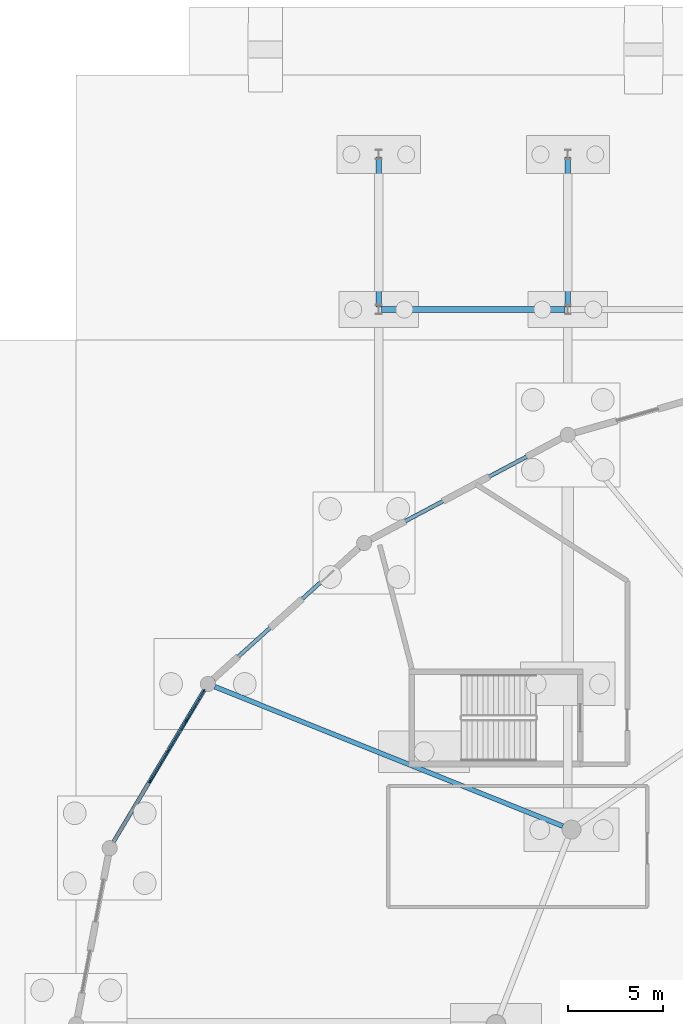
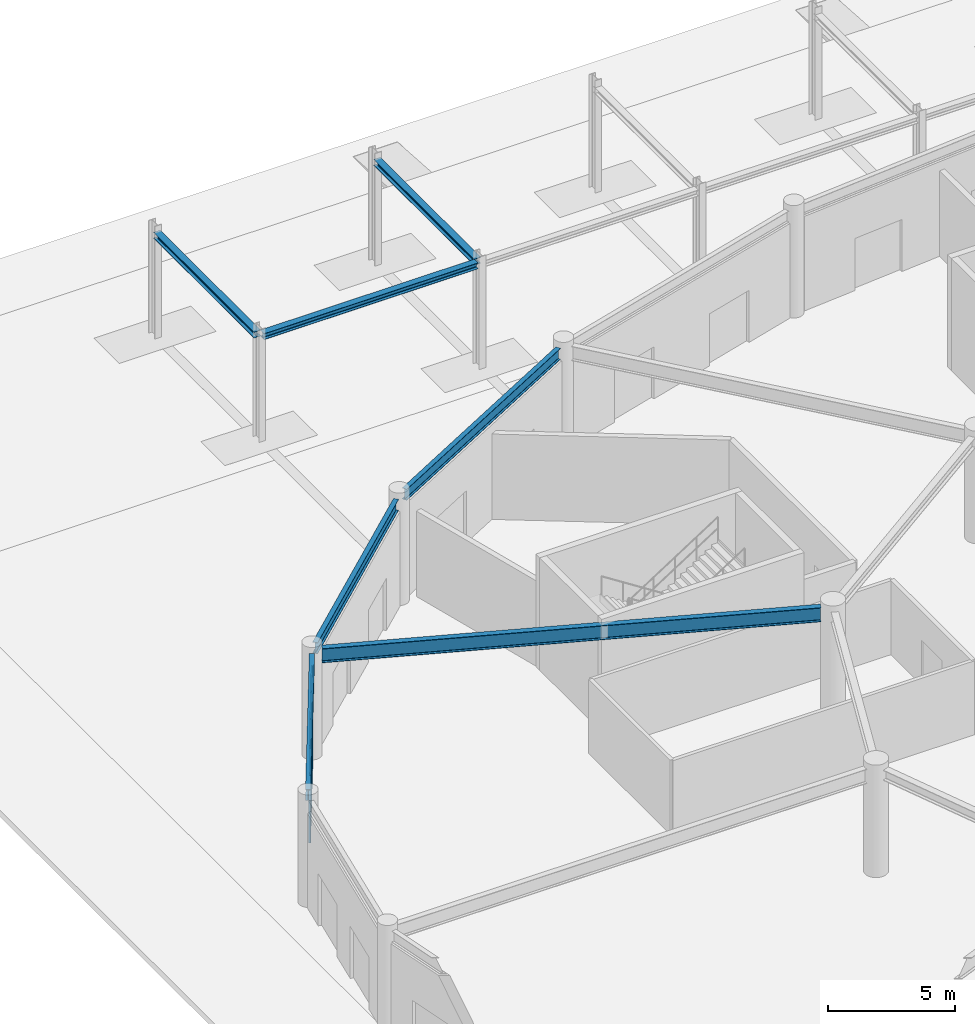
# One storey, part 41 of 99: 16 members, 7 beams, 1 element without a shape of its own.
"""IFC4 building model written with IfcOpenShell, lengths in metres."""

from ifc_helpers import new_model, si_unit, direction, frame, origin, origin_2d, place, context, subcontext, project, spatial, rectangle, i_section, extrude, material, layer, layer_set, material_profile, profile_set, type_object, element, aggregate, save


model = new_model("IFC4")

# Units and contexts
model_context = context("Model", 3, precision=1e-05, world=origin(), true_north=direction((0.0, 1.0)))
body_context = subcontext(model_context, "Body", "Model", "MODEL_VIEW")
ifc_project = project(units=[si_unit("LENGTHUNIT", "METRE"), si_unit("AREAUNIT", "SQUARE_METRE"), si_unit("VOLUMEUNIT", "CUBIC_METRE"), si_unit("PLANEANGLEUNIT", "RADIAN"), si_unit("MASSUNIT", "GRAM", prefix="KILO")], contexts=[model_context])

# Site, building, storey
site_placement = place(None, origin())
site = spatial("IfcSite", under=ifc_project, at=site_placement, CompositionType="ELEMENT")
building_placement = place(site_placement, origin())
building = spatial("IfcBuilding", under=site, at=building_placement, Name="Kivolera Central Railway Station", CompositionType="ELEMENT")
storey_placement = place(building_placement, origin())
storey = spatial("IfcBuildingStorey", under=building, at=storey_placement, Name="L00", CompositionType="ELEMENT", Elevation=0.0)

# Beams
ifc_material_1 = material(Name="Steel S355", Category="steel")
ifc_material_profile_1 = material_profile(ifc_material_1, i_section(OverallWidth=0.300048828125, OverallDepth=0.2900390625, WebThickness=0.008544921875, FlangeThickness=0.013916015625, FilletRadius=0.027099609375, at=origin_2d()), Name="HEA 300")
ifc_profile_set_1 = profile_set([ifc_material_profile_1], Name="Steel S355")
beam_type_1 = type_object("IfcBeamType", Name="BM-CAN-TIE", PredefinedType="BEAM", material=ifc_profile_set_1)
for number, where, z_axis, x_axis, name in (
    (1, (28.0, 127.93994140625, 4.919921875), (0.0, 1.0, 0.0), (-1.0, 0.0, 0.0), "Forecourt Canopy Tie Beam 1"),
    (2, (38.0, 127.93994140625, 4.919921875), (0.0, 1.0, 0.0), (-1.0, 0.0, 0.0), "Forecourt Canopy Tie Beam 2"),
):
    element("IfcBeam", number, at=place(storey_placement, frame(where, z_axis=z_axis, x_axis=x_axis)), inside=storey, type_object=beam_type_1, Name=name, PredefinedType="BEAM", context=body_context, shape_type="SweptSolid", body=[
        extrude(i_section(OverallWidth=0.300048828125, OverallDepth=0.2900390625, WebThickness=0.008544921875, FlangeThickness=0.013916015625, FilletRadius=0.027099609375, at=origin_2d()), origin(), (0.0, 0.0, 1.0), 7.920166015625),
    ])
beam_1_placement = place(storey_placement, frame((28.139892578125, 127.800048828125, 4.919921875), z_axis=(1.0, 0.0, 0.0), x_axis=(0.0, 1.0, 0.0)))
element("IfcBeam", 3, at=beam_1_placement, inside=storey, type_object=beam_type_1, Name="Forecourt Canopy South Longitudinal Beam 28", PredefinedType="BEAM", context=body_context, shape_type="SweptSolid", body=[
    extrude(i_section(OverallWidth=0.300048828125, OverallDepth=0.2900390625, WebThickness=0.008544921875, FlangeThickness=0.013916015625, FilletRadius=0.027099609375, at=origin_2d()), origin(), (0.0, 0.0, 1.0), 9.72021484375),
])
ifc_material_profile_2 = material_profile(ifc_material_1, i_section(OverallWidth=0.209228515625, OverallDepth=0.533203125, WebThickness=0.010009765625, FlangeThickness=0.015625, FilletRadius=0.0126953125, at=origin_2d()), Name="UB 533x210x92")
ifc_profile_set_2 = profile_set([ifc_material_profile_2], Name="Steel S355")
beam_type_2 = type_object("IfcBeamType", Name="BM-SHD-UB533", PredefinedType="BEAM", material=ifc_profile_set_2)
beam_2_placement = place(storey_placement, frame((37.656005859375, 120.993896484375, 4.841064453125), z_axis=(-0.883155588993, -0.469080169725, 0.0), x_axis=(0.469080169725, -0.883155588993, 0.0)))
element("IfcBeam", 4, at=beam_2_placement, inside=storey, type_object=beam_type_2, Name="L00 Oval Perimeter Ring Beam 09", PredefinedType="BEAM", context=body_context, shape_type="SweptSolid", body=[
    extrude(i_section(OverallWidth=0.209228515625, OverallDepth=0.533203125, WebThickness=0.010009765625, FlangeThickness=0.015625, FilletRadius=0.0126953125, at=origin_2d()), origin(), (0.0, 0.0, 1.0), 11.416015625),
])
beam_3_placement = place(storey_placement, frame((26.93994140625, 115.195068359375, 4.841064453125), z_axis=(-0.742356199881, -0.670005427215, 0.0), x_axis=(0.670005427215, -0.742356199881, 0.0)))
element("IfcBeam", 5, at=beam_3_placement, inside=storey, type_object=beam_type_2, Name="L00 Oval Perimeter Ring Beam 10", PredefinedType="BEAM", context=body_context, shape_type="SweptSolid", body=[
    extrude(i_section(OverallWidth=0.209228515625, OverallDepth=0.533203125, WebThickness=0.010009765625, FlangeThickness=0.015625, FilletRadius=0.0126953125, at=origin_2d()), origin(), (0.0, 0.0, 1.0), 10.349365234375),
])
beam_4_placement = place(storey_placement, frame((18.76708984375, 107.6650390625, 4.841064453125), z_axis=(-0.513503459376, -0.858087523047, 0.0), x_axis=(0.858087523047, -0.513503459376, 0.0)))
element("IfcBeam", 6, at=beam_4_placement, inside=storey, type_object=beam_type_2, Name="L00 Oval Perimeter Ring Beam 11", PredefinedType="BEAM", context=body_context, shape_type="SweptSolid", body=[
    extrude(i_section(OverallWidth=0.209228515625, OverallDepth=0.533203125, WebThickness=0.010009765625, FlangeThickness=0.015625, FilletRadius=0.0126953125, at=origin_2d()), origin(), (0.0, 0.0, 1.0), 9.338134765625),
])
ifc_material_profile_3 = material_profile(ifc_material_1, i_section(OverallWidth=0.253662109375, OverallDepth=0.68359375, WebThickness=0.012451171875, FlangeThickness=0.01904296875, FilletRadius=0.01513671875, at=origin_2d()), Name="UB 686x254x140")
ifc_profile_set_3 = profile_set([ifc_material_profile_3], Name="Steel S355")
beam_type_3 = type_object("IfcBeamType", Name="BM-SHD-UB686", PredefinedType="BEAM", material=ifc_profile_set_3)
beam_5_placement = place(storey_placement, frame((37.737060546875, 100.48193359375, 4.76611328125), z_axis=(-0.928305074345, 0.371819430565, 0.0), x_axis=(-0.371819430565, -0.928305074345, 0.0)))
element("IfcBeam", 7, at=beam_5_placement, inside=storey, type_object=beam_type_3, Name="L00 Oval Gallery Radial Girder 06", PredefinedType="BEAM", context=body_context, shape_type="SweptSolid", body=[
    extrude(i_section(OverallWidth=0.253662109375, OverallDepth=0.68359375, WebThickness=0.012451171875, FlangeThickness=0.01904296875, FilletRadius=0.01513671875, at=origin_2d()), origin(), (0.0, 0.0, 1.0), 19.82958984375),
])

# Curtain wall, members
ifc_material_2 = material(Name="Anodised aluminium", Category="aluminium")
ifc_layer = layer(ifc_material_2, 0.179931640625, Name="Anodised aluminium")
ifc_layer_set = layer_set([ifc_layer], Name="Anodised aluminium")
curtain_wall_type = type_object("IfcCurtainWallType", Name="CW-SYS-01", PredefinedType="NOTDEFINED", material=ifc_layer_set)
curtain_wall_placement = place(storey_placement, origin())
curtain_wall = element("IfcCurtainWall", 8, at=curtain_wall_placement, inside=storey, type_object=curtain_wall_type, Name="L00 Curtain Wall CW-L00-OVL-10", PredefinedType="NOTDEFINED")
ifc_material_profile_4 = material_profile(ifc_material_2, rectangle(XDim=0.070068359375, YDim=0.179931640625, at=origin_2d()), Name="ALU MULL 70x180")
ifc_profile_set_4 = profile_set([ifc_material_profile_4], Name="Anodised aluminium")
member_type_1 = type_object("IfcMemberType", Name="CWM-MUL-1", PredefinedType="MULLION", material=ifc_profile_set_4)
member_1_placement = place(storey_placement, frame((15.89111328125, 102.85888671875, -0.0048828125), z_axis=(0.0, 0.0, 1.0), x_axis=(-0.858117186396, 0.513453887327, 0.0)))
member_1 = element("IfcMember", 9, at=member_1_placement, type_object=member_type_1, Name="CW-01 mullion 3", PredefinedType="MULLION", context=body_context, shape_type="SweptSolid", body=[
    extrude(rectangle(XDim=0.070068359375, YDim=0.179931640625, at=origin_2d()), origin(), (0.0, 0.0, 1.0), 4.554931640625),
])
member_2_placement = place(storey_placement, frame((16.847900390625, 104.458251953125, -0.0048828125), z_axis=(0.0, 0.0, 1.0), x_axis=(-0.858117186396, 0.513453887327, 0.0)))
member_2 = element("IfcMember", 10, at=member_2_placement, type_object=member_type_1, Name="CW-01 mullion 4", PredefinedType="MULLION", context=body_context, shape_type="SweptSolid", body=[
    extrude(rectangle(XDim=0.070068359375, YDim=0.179931640625, at=origin_2d()), origin(), (0.0, 0.0, 1.0), 4.554931640625),
])
member_3_placement = place(storey_placement, frame((17.804931640625, 106.0576171875, -0.0048828125), z_axis=(0.0, 0.0, 1.0), x_axis=(-0.858117186396, 0.513453887327, 0.0)))
member_3 = element("IfcMember", 11, at=member_3_placement, type_object=member_type_1, Name="CW-01 mullion 5", PredefinedType="MULLION", context=body_context, shape_type="SweptSolid", body=[
    extrude(rectangle(XDim=0.070068359375, YDim=0.179931640625, at=origin_2d()), origin(), (0.0, 0.0, 1.0), 4.554931640625),
])
member_4_placement = place(storey_placement, frame((18.744140625, 107.626953125, -0.0048828125), z_axis=(0.0, 0.0, 1.0), x_axis=(-0.858117186396, 0.513453887327, 0.0)))
member_4 = element("IfcMember", 12, at=member_4_placement, type_object=member_type_1, Name="CW-01 mullion 6", PredefinedType="MULLION", context=body_context, shape_type="SweptSolid", body=[
    extrude(rectangle(XDim=0.070068359375, YDim=0.179931640625, at=origin_2d()), origin(), (0.0, 0.0, 1.0), 4.554931640625),
])
ifc_material_profile_5 = material_profile(ifc_material_2, rectangle(XDim=0.070068359375, YDim=0.139892578125, at=origin_2d()), Name="ALU TRAN 70x140")
ifc_profile_set_5 = profile_set([ifc_material_profile_5], Name="Anodised aluminium")
member_type_2 = type_object("IfcMemberType", Name="CWM-TRN-1", PredefinedType="USERDEFINED", material=ifc_profile_set_5)
member_5_placement = place(storey_placement, frame((15.908935546875, 102.888916015625, 0.034912109375), z_axis=(0.513494690452, 0.858092770554, 0.0), x_axis=(-0.858092770554, 0.513494690452, 0.0)))
member_5 = element("IfcMember", 13, at=member_5_placement, type_object=member_type_2, Name="CW-01 transom 3.1", ObjectType="TRANSOM", PredefinedType="USERDEFINED", context=body_context, shape_type="SweptSolid", body=[
    extrude(rectangle(XDim=0.070068359375, YDim=0.139892578125, at=origin_2d()), origin(), (0.0, 0.0, 1.0), 1.7939453125),
])
member_6_placement = place(storey_placement, frame((15.908935546875, 102.888916015625, 1.592529296875), z_axis=(0.513494690452, 0.858092770554, 0.0), x_axis=(-0.858092770554, 0.513494690452, 0.0)))
member_6 = element("IfcMember", 14, at=member_6_placement, type_object=member_type_2, Name="CW-01 transom 3.2", ObjectType="TRANSOM", PredefinedType="USERDEFINED", context=body_context, shape_type="SweptSolid", body=[
    extrude(rectangle(XDim=0.070068359375, YDim=0.139892578125, at=origin_2d()), origin(), (0.0, 0.0, 1.0), 1.7939453125),
])
member_7_placement = place(storey_placement, frame((15.908935546875, 102.888916015625, 3.18505859375), z_axis=(0.513494690452, 0.858092770554, 0.0), x_axis=(-0.858092770554, 0.513494690452, 0.0)))
member_7 = element("IfcMember", 15, at=member_7_placement, type_object=member_type_2, Name="CW-01 transom 3.3", ObjectType="TRANSOM", PredefinedType="USERDEFINED", context=body_context, shape_type="SweptSolid", body=[
    extrude(rectangle(XDim=0.070068359375, YDim=0.139892578125, at=origin_2d()), origin(), (0.0, 0.0, 1.0), 1.7939453125),
])
member_8_placement = place(storey_placement, frame((15.908935546875, 102.888916015625, 4.514892578125), z_axis=(0.513494690452, 0.858092770554, 0.0), x_axis=(-0.858092770554, 0.513494690452, 0.0)))
member_8 = element("IfcMember", 16, at=member_8_placement, type_object=member_type_2, Name="CW-01 transom 3.4", ObjectType="TRANSOM", PredefinedType="USERDEFINED", context=body_context, shape_type="SweptSolid", body=[
    extrude(rectangle(XDim=0.070068359375, YDim=0.139892578125, at=origin_2d()), origin(), (0.0, 0.0, 1.0), 1.7939453125),
])
member_9_placement = place(storey_placement, frame((16.865966796875, 104.48828125, 0.034912109375), z_axis=(0.513494690452, 0.858092770554, 0.0), x_axis=(-0.858092770554, 0.513494690452, 0.0)))
member_9 = element("IfcMember", 17, at=member_9_placement, type_object=member_type_2, Name="CW-01 transom 4.1", ObjectType="TRANSOM", PredefinedType="USERDEFINED", context=body_context, shape_type="SweptSolid", body=[
    extrude(rectangle(XDim=0.070068359375, YDim=0.139892578125, at=origin_2d()), origin(), (0.0, 0.0, 1.0), 1.7939453125),
])
member_10_placement = place(storey_placement, frame((16.865966796875, 104.48828125, 1.592529296875), z_axis=(0.513494690452, 0.858092770554, 0.0), x_axis=(-0.858092770554, 0.513494690452, 0.0)))
member_10 = element("IfcMember", 18, at=member_10_placement, type_object=member_type_2, Name="CW-01 transom 4.2", ObjectType="TRANSOM", PredefinedType="USERDEFINED", context=body_context, shape_type="SweptSolid", body=[
    extrude(rectangle(XDim=0.070068359375, YDim=0.139892578125, at=origin_2d()), origin(), (0.0, 0.0, 1.0), 1.7939453125),
])
member_11_placement = place(storey_placement, frame((16.865966796875, 104.48828125, 3.18505859375), z_axis=(0.513494690452, 0.858092770554, 0.0), x_axis=(-0.858092770554, 0.513494690452, 0.0)))
member_11 = element("IfcMember", 19, at=member_11_placement, type_object=member_type_2, Name="CW-01 transom 4.3", ObjectType="TRANSOM", PredefinedType="USERDEFINED", context=body_context, shape_type="SweptSolid", body=[
    extrude(rectangle(XDim=0.070068359375, YDim=0.139892578125, at=origin_2d()), origin(), (0.0, 0.0, 1.0), 1.7939453125),
])
member_12_placement = place(storey_placement, frame((16.865966796875, 104.48828125, 4.514892578125), z_axis=(0.513494690452, 0.858092770554, 0.0), x_axis=(-0.858092770554, 0.513494690452, 0.0)))
member_12 = element("IfcMember", 20, at=member_12_placement, type_object=member_type_2, Name="CW-01 transom 4.4", ObjectType="TRANSOM", PredefinedType="USERDEFINED", context=body_context, shape_type="SweptSolid", body=[
    extrude(rectangle(XDim=0.070068359375, YDim=0.139892578125, at=origin_2d()), origin(), (0.0, 0.0, 1.0), 1.7939453125),
])
member_13_placement = place(storey_placement, frame((17.822998046875, 106.087646484375, 0.034912109375), z_axis=(0.513454309114, 0.85811693402, 0.0), x_axis=(-0.85811693402, 0.513454309114, 0.0)))
member_13 = element("IfcMember", 21, at=member_13_placement, type_object=member_type_2, Name="CW-01 transom 5.1", ObjectType="TRANSOM", PredefinedType="USERDEFINED", context=body_context, shape_type="SweptSolid", body=[
    extrude(rectangle(XDim=0.070068359375, YDim=0.139892578125, at=origin_2d()), origin(), (0.0, 0.0, 1.0), 1.7587890625),
])
member_14_placement = place(storey_placement, frame((17.822998046875, 106.087646484375, 1.592529296875), z_axis=(0.513454309114, 0.85811693402, 0.0), x_axis=(-0.85811693402, 0.513454309114, 0.0)))
member_14 = element("IfcMember", 22, at=member_14_placement, type_object=member_type_2, Name="CW-01 transom 5.2", ObjectType="TRANSOM", PredefinedType="USERDEFINED", context=body_context, shape_type="SweptSolid", body=[
    extrude(rectangle(XDim=0.070068359375, YDim=0.139892578125, at=origin_2d()), origin(), (0.0, 0.0, 1.0), 1.7587890625),
])
member_15_placement = place(storey_placement, frame((17.822998046875, 106.087646484375, 3.18505859375), z_axis=(0.513454309114, 0.85811693402, 0.0), x_axis=(-0.85811693402, 0.513454309114, 0.0)))
member_15 = element("IfcMember", 23, at=member_15_placement, type_object=member_type_2, Name="CW-01 transom 5.3", ObjectType="TRANSOM", PredefinedType="USERDEFINED", context=body_context, shape_type="SweptSolid", body=[
    extrude(rectangle(XDim=0.070068359375, YDim=0.139892578125, at=origin_2d()), origin(), (0.0, 0.0, 1.0), 1.7587890625),
])
member_16_placement = place(storey_placement, frame((17.822998046875, 106.087646484375, 4.514892578125), z_axis=(0.513454309114, 0.85811693402, 0.0), x_axis=(-0.85811693402, 0.513454309114, 0.0)))
member_16 = element("IfcMember", 24, at=member_16_placement, type_object=member_type_2, Name="CW-01 transom 5.4", ObjectType="TRANSOM", PredefinedType="USERDEFINED", context=body_context, shape_type="SweptSolid", body=[
    extrude(rectangle(XDim=0.070068359375, YDim=0.139892578125, at=origin_2d()), origin(), (0.0, 0.0, 1.0), 1.7587890625),
])
aggregate(curtain_wall, [member_1, member_2, member_3, member_4, member_5, member_6, member_7, member_8, member_9, member_10, member_11, member_12, member_13, member_14, member_15, member_16])

save(model, "model.ifc")
